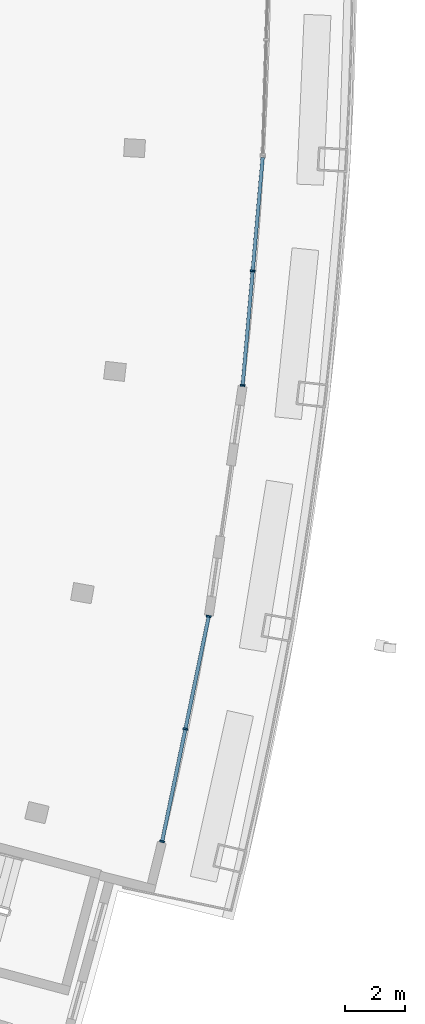
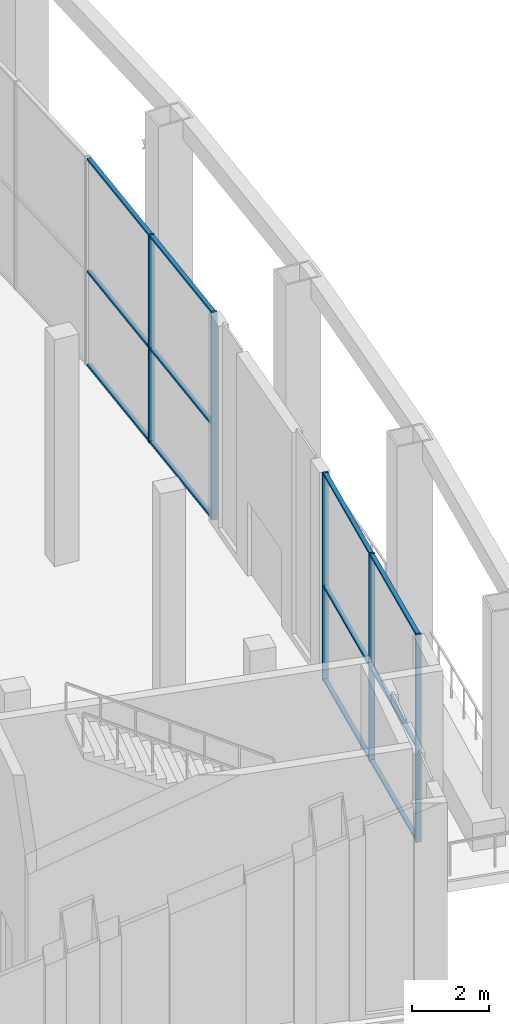
# One storey, part 7 of 25: 17 members, 2 elements without a shape of their own.
"""IFC4 building model written with IfcOpenShell, lengths in metres."""

from ifc_helpers import new_model, si_unit, direction, frame, origin, origin_2d, place, context, subcontext, project, spatial, rectangle, extrude, material, layer, layer_set, material_profile, profile_set, type_object, element, aggregate, save


model = new_model("IFC4")

# Units and contexts
model_context = context("Model", 3, precision=1e-05, world=origin(), true_north=direction((0.0, 1.0)))
body_context = subcontext(model_context, "Body", "Model", "MODEL_VIEW")
ifc_project = project(units=[si_unit("LENGTHUNIT", "METRE"), si_unit("AREAUNIT", "SQUARE_METRE"), si_unit("VOLUMEUNIT", "CUBIC_METRE"), si_unit("PLANEANGLEUNIT", "RADIAN"), si_unit("MASSUNIT", "GRAM", prefix="KILO")], contexts=[model_context])

# Site, building, storey
site_placement = place(None, origin())
site = spatial("IfcSite", under=ifc_project, at=site_placement, CompositionType="ELEMENT")
building_placement = place(site_placement, origin())
building = spatial("IfcBuilding", under=site, at=building_placement, Name="Alderwake Tower", CompositionType="ELEMENT")
storey_placement = place(building_placement, frame((0.0, 0.0, 288.800048828125)))
storey = spatial("IfcBuildingStorey", under=building, at=storey_placement, Name="L72", CompositionType="ELEMENT", Elevation=288.800048828125)

# Curtain wall, members
ifc_material_1 = material(Name="Bronze tinted glass in aluminium frame", Category="aluminium")
ifc_layer = layer(ifc_material_1, 0.199951171875)
ifc_layer_set = layer_set([ifc_layer], Name="Curtain wall CW3 sky garden glazing")
curtain_wall_type = type_object("IfcCurtainWallType", Name="Curtain wall CW3 sky garden glazing", PredefinedType="NOTDEFINED", material=ifc_layer_set)
curtain_wall_1_placement = place(storey_placement, origin())
curtain_wall_1 = element("IfcCurtainWall", 1, at=curtain_wall_1_placement, inside=storey, type_object=curtain_wall_type, Name="Curtain wall 2", PredefinedType="NOTDEFINED")
ifc_material_2 = material(Name="Aluminium bronze anodised", Category="aluminium")
ifc_material_profile_1 = material_profile(ifc_material_2, rectangle(XDim=0.159912109375, YDim=0.06005859375, at=origin_2d()), Name="Mullion MUC 60x160")
ifc_profile_set_1 = profile_set([ifc_material_profile_1], Name="Aluminium bronze anodised")
member_type_1 = type_object("IfcMemberType", Name="Mullion MUC 60x160", PredefinedType="MULLION", material=ifc_profile_set_1)
member_1_placement = place(storey_placement, frame((49.83935546875, 30.17138671875, 0.0), z_axis=(0.0, 0.0, 1.0), x_axis=(-0.979230446978, 0.20275041729, 0.0)))
member_1 = element("IfcMember", 2, at=member_1_placement, type_object=member_type_1, Name="CW.02 mullion 1", PredefinedType="MULLION", context=body_context, shape_type="SweptSolid", body=[
    extrude(rectangle(XDim=0.159912109375, YDim=0.06005859375, at=origin_2d()), origin(), (0.0, 0.0, 1.0), 6.599853515625),
])
member_2_placement = place(storey_placement, frame((50.62255859375, 33.954345703125, 0.0), z_axis=(0.0, 0.0, 1.0), x_axis=(-0.979230446978, 0.20275041729, 0.0)))
member_2 = element("IfcMember", 3, at=member_2_placement, type_object=member_type_1, Name="CW.02 mullion 2", PredefinedType="MULLION", context=body_context, shape_type="SweptSolid", body=[
    extrude(rectangle(XDim=0.159912109375, YDim=0.06005859375, at=origin_2d()), origin(), (0.0, 0.0, 1.0), 6.599853515625),
])
member_3_placement = place(storey_placement, frame((51.406005859375, 37.7373046875, 0.0), z_axis=(0.0, 0.0, 1.0), x_axis=(-0.979230446978, 0.20275041729, 0.0)))
member_3 = element("IfcMember", 4, at=member_3_placement, type_object=member_type_1, Name="CW.02 mullion 3", PredefinedType="MULLION", context=body_context, shape_type="SweptSolid", body=[
    extrude(rectangle(XDim=0.159912109375, YDim=0.06005859375, at=origin_2d()), origin(), (0.0, 0.0, 1.0), 6.599853515625),
])

curtain_wall_2_placement = place(storey_placement, origin())
curtain_wall_2 = element("IfcCurtainWall", 5, at=curtain_wall_2_placement, inside=storey, type_object=curtain_wall_type, Name="Curtain wall 3", PredefinedType="NOTDEFINED")
member_4_placement = place(storey_placement, frame((52.54541015625, 45.49462890625, 0.0), z_axis=(0.0, 0.0, 1.0), x_axis=(-0.996174763176, 0.087383300533, 0.0)))
member_4 = element("IfcMember", 6, at=member_4_placement, type_object=member_type_1, Name="CW.03 mullion 1", PredefinedType="MULLION", context=body_context, shape_type="SweptSolid", body=[
    extrude(rectangle(XDim=0.159912109375, YDim=0.06005859375, at=origin_2d()), origin(), (0.0, 0.0, 1.0), 6.599853515625),
])
member_5_placement = place(storey_placement, frame((52.8828125, 49.343017578125, 0.0), z_axis=(0.0, 0.0, 1.0), x_axis=(-0.996174763176, 0.087383300533, 0.0)))
member_5 = element("IfcMember", 7, at=member_5_placement, type_object=member_type_1, Name="CW.03 mullion 2", PredefinedType="MULLION", context=body_context, shape_type="SweptSolid", body=[
    extrude(rectangle(XDim=0.159912109375, YDim=0.06005859375, at=origin_2d()), origin(), (0.0, 0.0, 1.0), 6.599853515625),
])

# Member
ifc_material_3 = material(Name="Aluminium bronze anodised", Category="aluminium")
ifc_material_profile_2 = material_profile(ifc_material_3, rectangle(XDim=0.1201171875, YDim=0.06005859375, at=origin_2d()), Name="Transom TRC 60x120")
ifc_profile_set_2 = profile_set([ifc_material_profile_2], Name="Aluminium bronze anodised")
member_type_2 = type_object("IfcMemberType", Name="Transom TRC 60x120", PredefinedType="USERDEFINED", material=ifc_profile_set_2)
member_6_placement = place(storey_placement, frame((49.845458984375, 30.20068359375, 0.030029296875), z_axis=(0.2027159795, 0.979237576717, 0.0), x_axis=(-0.979237576717, 0.2027159795, 0.0)))
member_6 = element("IfcMember", 8, at=member_6_placement, type_object=member_type_2, Name="CW.02 transom 1.1", ObjectType="TRANSOM", PredefinedType="USERDEFINED", context=body_context, shape_type="SweptSolid", body=[
    extrude(rectangle(XDim=0.1201171875, YDim=0.06005859375, at=origin_2d()), origin(), (0.0, 0.0, 1.0), 3.80322265625),
])

member_7_placement = place(storey_placement, frame((49.845458984375, 30.20068359375, 3.0), z_axis=(0.2027159795, 0.979237576717, 0.0), x_axis=(-0.979237576717, 0.2027159795, 0.0)))
member_7 = element("IfcMember", 9, at=member_7_placement, type_object=member_type_2, Name="CW.02 transom 1.2", ObjectType="TRANSOM", PredefinedType="USERDEFINED", context=body_context, shape_type="SweptSolid", body=[
    extrude(rectangle(XDim=0.1201171875, YDim=0.06005859375, at=origin_2d()), origin(), (0.0, 0.0, 1.0), 3.80322265625),
])

member_8_placement = place(storey_placement, frame((49.845458984375, 30.20068359375, 6.570068359375), z_axis=(0.2027159795, 0.979237576717, 0.0), x_axis=(-0.979237576717, 0.2027159795, 0.0)))
member_8 = element("IfcMember", 10, at=member_8_placement, type_object=member_type_2, Name="CW.02 transom 1.3", ObjectType="TRANSOM", PredefinedType="USERDEFINED", context=body_context, shape_type="SweptSolid", body=[
    extrude(rectangle(XDim=0.1201171875, YDim=0.06005859375, at=origin_2d()), origin(), (0.0, 0.0, 1.0), 3.80322265625),
])

member_9_placement = place(storey_placement, frame((50.628662109375, 33.983642578125, 0.030029296875), z_axis=(0.202777531692, 0.979224832529, 0.0), x_axis=(-0.979224832529, 0.202777531692, 0.0)))
member_9 = element("IfcMember", 11, at=member_9_placement, type_object=member_type_2, Name="CW.02 transom 2.1", ObjectType="TRANSOM", PredefinedType="USERDEFINED", context=body_context, shape_type="SweptSolid", body=[
    extrude(rectangle(XDim=0.1201171875, YDim=0.06005859375, at=origin_2d()), origin(), (0.0, 0.0, 1.0), 3.803466796875),
])

member_10_placement = place(storey_placement, frame((50.628662109375, 33.983642578125, 3.0), z_axis=(0.202777531692, 0.979224832529, 0.0), x_axis=(-0.979224832529, 0.202777531692, 0.0)))
member_10 = element("IfcMember", 12, at=member_10_placement, type_object=member_type_2, Name="CW.02 transom 2.2", ObjectType="TRANSOM", PredefinedType="USERDEFINED", context=body_context, shape_type="SweptSolid", body=[
    extrude(rectangle(XDim=0.1201171875, YDim=0.06005859375, at=origin_2d()), origin(), (0.0, 0.0, 1.0), 3.803466796875),
])

member_11_placement = place(storey_placement, frame((50.628662109375, 33.983642578125, 6.570068359375), z_axis=(0.202777531692, 0.979224832529, 0.0), x_axis=(-0.979224832529, 0.202777531692, 0.0)))
member_11 = element("IfcMember", 13, at=member_11_placement, type_object=member_type_2, Name="CW.02 transom 2.3", ObjectType="TRANSOM", PredefinedType="USERDEFINED", context=body_context, shape_type="SweptSolid", body=[
    extrude(rectangle(XDim=0.1201171875, YDim=0.06005859375, at=origin_2d()), origin(), (0.0, 0.0, 1.0), 3.803466796875),
])

aggregate(curtain_wall_1, [member_1, member_2, member_3, member_6, member_7, member_8, member_9, member_10, member_11])

member_12_placement = place(storey_placement, frame((52.5478515625, 45.5244140625, 0.030029296875), z_axis=(0.087427332015, 0.996170899804, 0.0), x_axis=(-0.996170899804, 0.087427332015, 0.0)))
member_12 = element("IfcMember", 14, at=member_12_placement, type_object=member_type_2, Name="CW.03 transom 1.1", ObjectType="TRANSOM", PredefinedType="USERDEFINED", context=body_context, shape_type="SweptSolid", body=[
    extrude(rectangle(XDim=0.1201171875, YDim=0.06005859375, at=origin_2d()), origin(), (0.0, 0.0, 1.0), 3.803466796875),
])

member_13_placement = place(storey_placement, frame((52.5478515625, 45.5244140625, 3.0), z_axis=(0.087427332015, 0.996170899804, 0.0), x_axis=(-0.996170899804, 0.087427332015, 0.0)))
member_13 = element("IfcMember", 15, at=member_13_placement, type_object=member_type_2, Name="CW.03 transom 1.2", ObjectType="TRANSOM", PredefinedType="USERDEFINED", context=body_context, shape_type="SweptSolid", body=[
    extrude(rectangle(XDim=0.1201171875, YDim=0.06005859375, at=origin_2d()), origin(), (0.0, 0.0, 1.0), 3.803466796875),
])

member_14_placement = place(storey_placement, frame((52.5478515625, 45.5244140625, 6.570068359375), z_axis=(0.087427332015, 0.996170899804, 0.0), x_axis=(-0.996170899804, 0.087427332015, 0.0)))
member_14 = element("IfcMember", 16, at=member_14_placement, type_object=member_type_2, Name="CW.03 transom 1.3", ObjectType="TRANSOM", PredefinedType="USERDEFINED", context=body_context, shape_type="SweptSolid", body=[
    extrude(rectangle(XDim=0.1201171875, YDim=0.06005859375, at=origin_2d()), origin(), (0.0, 0.0, 1.0), 3.803466796875),
])

member_15_placement = place(storey_placement, frame((52.885498046875, 49.372802734375, 0.030029296875), z_axis=(0.087363631715, 0.996176488306, 0.0), x_axis=(-0.996176488306, 0.087363631715, 0.0)))
member_15 = element("IfcMember", 17, at=member_15_placement, type_object=member_type_2, Name="CW.03 transom 2.1", ObjectType="TRANSOM", PredefinedType="USERDEFINED", context=body_context, shape_type="SweptSolid", body=[
    extrude(rectangle(XDim=0.1201171875, YDim=0.06005859375, at=origin_2d()), origin(), (0.0, 0.0, 1.0), 3.803466796875),
])

member_16_placement = place(storey_placement, frame((52.885498046875, 49.372802734375, 3.0), z_axis=(0.087363631715, 0.996176488306, 0.0), x_axis=(-0.996176488306, 0.087363631715, 0.0)))
member_16 = element("IfcMember", 18, at=member_16_placement, type_object=member_type_2, Name="CW.03 transom 2.2", ObjectType="TRANSOM", PredefinedType="USERDEFINED", context=body_context, shape_type="SweptSolid", body=[
    extrude(rectangle(XDim=0.1201171875, YDim=0.06005859375, at=origin_2d()), origin(), (0.0, 0.0, 1.0), 3.803466796875),
])

member_17_placement = place(storey_placement, frame((52.885498046875, 49.372802734375, 6.570068359375), z_axis=(0.087363631715, 0.996176488306, 0.0), x_axis=(-0.996176488306, 0.087363631715, 0.0)))
member_17 = element("IfcMember", 19, at=member_17_placement, type_object=member_type_2, Name="CW.03 transom 2.3", ObjectType="TRANSOM", PredefinedType="USERDEFINED", context=body_context, shape_type="SweptSolid", body=[
    extrude(rectangle(XDim=0.1201171875, YDim=0.06005859375, at=origin_2d()), origin(), (0.0, 0.0, 1.0), 3.803466796875),
])

aggregate(curtain_wall_2, [member_4, member_5, member_12, member_13, member_14, member_15, member_16, member_17])

save(model, "model.ifc")
